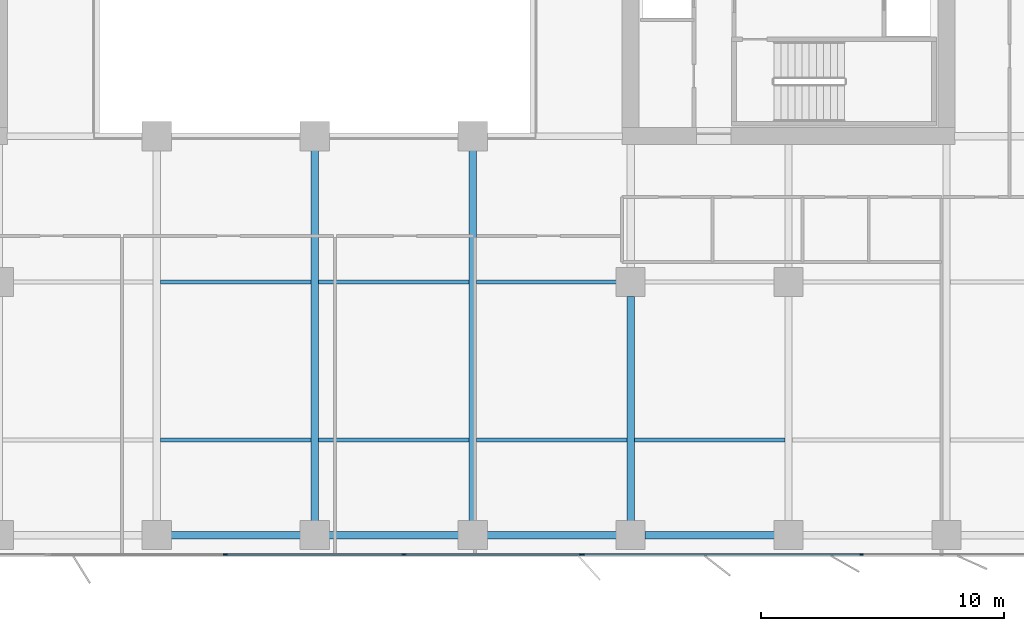
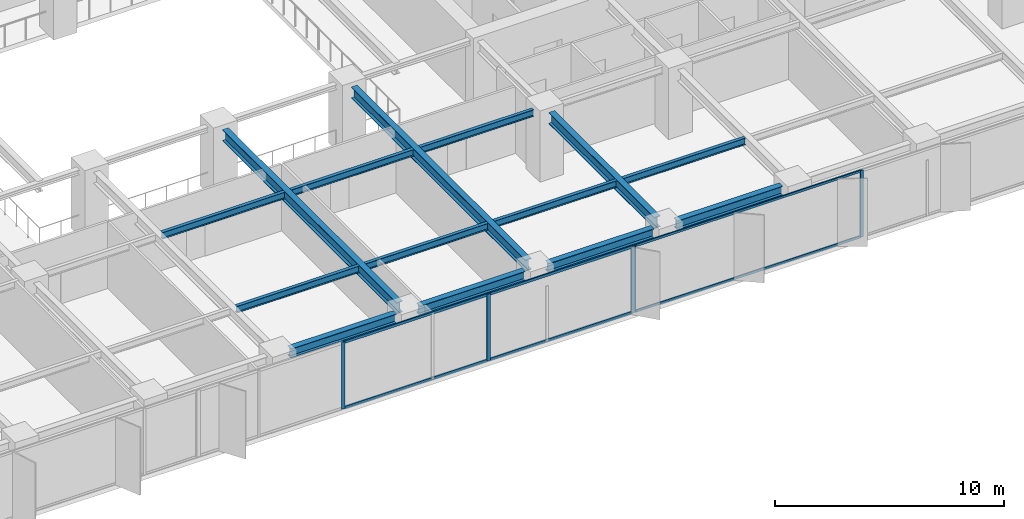
# One storey, part 5 of 20: 14 beams, 11 members, 2 elements without a shape of their own.
"""IFC4 building model written with IfcOpenShell, lengths in metres."""

from ifc_helpers import new_model, si_unit, direction, frame, origin, origin_2d, place, context, subcontext, project, spatial, rectangle, i_section, extrude, material, layer, layer_set, material_profile, profile_set, type_object, element, aggregate, save


model = new_model("IFC4")

# Units and contexts
model_context = context("Model", 3, precision=1e-05, world=origin(), true_north=direction((0.0, 1.0)))
body_context = subcontext(model_context, "Body", "Model", "MODEL_VIEW")
ifc_project = project(units=[si_unit("LENGTHUNIT", "METRE"), si_unit("AREAUNIT", "SQUARE_METRE"), si_unit("VOLUMEUNIT", "CUBIC_METRE"), si_unit("PLANEANGLEUNIT", "RADIAN"), si_unit("MASSUNIT", "GRAM", prefix="KILO")], contexts=[model_context])

# Site, building, storey
site_placement = place(None, origin())
site = spatial("IfcSite", under=ifc_project, at=site_placement, CompositionType="ELEMENT")
building_placement = place(site_placement, origin())
building = spatial("IfcBuilding", under=site, at=building_placement, Name="Putna Gate Headquarters", CompositionType="ELEMENT")
storey_placement = place(building_placement, frame((0.0, 0.0, 101.199951171875)))
storey = spatial("IfcBuildingStorey", under=building, at=storey_placement, Name="L24", CompositionType="ELEMENT", Elevation=101.199951171875)

# Beams
ifc_material_1 = material(Name="Steel S355J2", Category="steel")
ifc_material_profile_1 = material_profile(ifc_material_1, i_section(OverallWidth=0.300048828125, OverallDepth=0.60009765625, WebThickness=0.015380859375, FlangeThickness=0.030029296875, at=origin_2d()), Name="Steel S355J2")
ifc_profile_set_1 = profile_set([ifc_material_profile_1], Name="Steel S355J2")
beam_type_1 = type_object("IfcBeamType", Name="BM-GIRD-Z2-HEB600", PredefinedType="USERDEFINED", material=ifc_profile_set_1)
for number, where, z_axis, x_axis, name in (
    (1, (39.0, 3.16796875, 3.26513671875), (0.0, 1.0, 0.0), (-1.0, 0.0, 0.0), "L24 South Primary Girder X39"),
    (2, (45.5, 3.16796875, 3.26513671875), (0.0, 1.0, 0.0), (-1.0, 0.0, 0.0), "L24 South Primary Girder X45"),
):
    element("IfcBeam", number, at=place(storey_placement, frame(where, z_axis=z_axis, x_axis=x_axis)), inside=storey, type_object=beam_type_1, Name=name, ObjectType="GIRDER", PredefinedType="USERDEFINED", context=body_context, shape_type="SweptSolid", body=[
        extrude(i_section(OverallWidth=0.300048828125, OverallDepth=0.60009765625, WebThickness=0.015380859375, FlangeThickness=0.030029296875, at=origin_2d()), origin(), (0.0, 0.0, 1.0), 15.244140625),
    ])
beam_1_placement = place(storey_placement, frame((52.0, 3.16796875, 3.26513671875), z_axis=(0.0, 1.0, 0.0), x_axis=(-1.0, 0.0, 0.0)))
element("IfcBeam", 3, at=beam_1_placement, inside=storey, type_object=beam_type_1, Name="L24 South Primary Girder X52-1", ObjectType="GIRDER", PredefinedType="USERDEFINED", context=body_context, shape_type="SweptSolid", body=[
    extrude(i_section(OverallWidth=0.300048828125, OverallDepth=0.60009765625, WebThickness=0.015380859375, FlangeThickness=0.030029296875, at=origin_2d()), origin(), (0.0, 0.0, 1.0), 9.244140625),
])
ifc_material_profile_2 = material_profile(ifc_material_1, i_section(OverallWidth=0.169921875, OverallDepth=0.360107421875, WebThickness=0.008056640625, FlangeThickness=0.0126953125, at=origin_2d()), Name="Steel S355J2")
ifc_profile_set_2 = profile_set([ifc_material_profile_2], Name="Steel S355J2")
beam_type_2 = type_object("IfcBeamType", Name="BM-SEC-Z2-IPE360", PredefinedType="BEAM", material=ifc_profile_set_2)
for number, where, z_axis, x_axis, name in (
    (4, (32.654052734375, 6.5, 3.385009765625), (1.0, 0.0, 0.0), (0.0, 1.0, 0.0), "L24 South Secondary Beam 5"),
    (5, (32.654052734375, 13.0, 3.385009765625), (1.0, 0.0, 0.0), (0.0, 1.0, 0.0), "L24 South Secondary Beam 5"),
    (6, (39.154052734375, 6.5, 3.385009765625), (1.0, 0.0, 0.0), (0.0, 1.0, 0.0), "L24 South Secondary Beam 6"),
    (7, (39.154052734375, 13.0, 3.385009765625), (1.0, 0.0, 0.0), (0.0, 1.0, 0.0), "L24 South Secondary Beam 6"),
    (8, (45.654052734375, 6.5, 3.385009765625), (1.0, 0.0, 0.0), (0.0, 1.0, 0.0), "L24 South Secondary Beam 7"),
):
    element("IfcBeam", number, at=place(storey_placement, frame(where, z_axis=z_axis, x_axis=x_axis)), inside=storey, type_object=beam_type_2, Name=name, PredefinedType="BEAM", context=body_context, shape_type="SweptSolid", body=[
        extrude(i_section(OverallWidth=0.169921875, OverallDepth=0.360107421875, WebThickness=0.008056640625, FlangeThickness=0.0126953125, at=origin_2d()), origin(), (0.0, 0.0, 1.0), 6.19189453125),
    ])
beam_2_placement = place(storey_placement, frame((45.654052734375, 13.0, 3.385009765625), z_axis=(1.0, 0.0, 0.0), x_axis=(0.0, 1.0, 0.0)))
element("IfcBeam", 9, at=beam_2_placement, inside=storey, type_object=beam_type_2, Name="L24 South Secondary Beam 7", PredefinedType="BEAM", context=body_context, shape_type="SweptSolid", body=[
    extrude(i_section(OverallWidth=0.169921875, OverallDepth=0.360107421875, WebThickness=0.008056640625, FlangeThickness=0.0126953125, at=origin_2d()), origin(), (0.0, 0.0, 1.0), 5.758056640625),
])
beam_3_placement = place(storey_placement, frame((52.154052734375, 6.5, 3.385009765625), z_axis=(1.0, 0.0, 0.0), x_axis=(0.0, 1.0, 0.0)))
element("IfcBeam", 10, at=beam_3_placement, inside=storey, type_object=beam_type_2, Name="L24 South Secondary Beam 8", PredefinedType="BEAM", context=body_context, shape_type="SweptSolid", body=[
    extrude(i_section(OverallWidth=0.169921875, OverallDepth=0.360107421875, WebThickness=0.008056640625, FlangeThickness=0.0126953125, at=origin_2d()), origin(), (0.0, 0.0, 1.0), 6.19189453125),
])
ifc_material_profile_3 = material_profile(ifc_material_1, i_section(OverallWidth=0.300048828125, OverallDepth=0.489990234375, WebThickness=0.011962890625, FlangeThickness=0.02294921875, at=origin_2d()), Name="Steel S355J2")
ifc_profile_set_3 = profile_set([ifc_material_profile_3], Name="Steel S355J2")
beam_type_3 = type_object("IfcBeamType", Name="BM-SPAN-Z2-HEA500", PredefinedType="SPANDREL", material=ifc_profile_set_3)
for number, where, z_axis, x_axis, name in (
    (11, (33.087890625, 2.580078125, 3.320068359375), (1.0, 0.0, 0.0), (0.0, 1.0, 0.0), "L24 S Perimeter Spandrel 5"),
    (12, (39.587890625, 2.580078125, 3.320068359375), (1.0, 0.0, 0.0), (0.0, 1.0, 0.0), "L24 S Perimeter Spandrel 6"),
    (13, (46.087890625, 2.580078125, 3.320068359375), (1.0, 0.0, 0.0), (0.0, 1.0, 0.0), "L24 S Perimeter Spandrel 7"),
    (14, (52.587890625, 2.580078125, 3.320068359375), (1.0, 0.0, 0.0), (0.0, 1.0, 0.0), "L24 S Perimeter Spandrel 8"),
):
    element("IfcBeam", number, at=place(storey_placement, frame(where, z_axis=z_axis, x_axis=x_axis)), inside=storey, type_object=beam_type_3, Name=name, PredefinedType="SPANDREL", context=body_context, shape_type="SweptSolid", body=[
        extrude(i_section(OverallWidth=0.300048828125, OverallDepth=0.489990234375, WebThickness=0.011962890625, FlangeThickness=0.02294921875, at=origin_2d()), origin(), (0.0, 0.0, 1.0), 5.32421875),
    ])

# Curtain wall, members
ifc_material_2 = material(Name="Anodised bronze aluminium curtain wall", Category="aluminium")
ifc_layer_1 = layer(ifc_material_2, 0.159912109375)
ifc_layer_set_1 = layer_set([ifc_layer_1], Name="Anodised bronze aluminium curtain wall")
curtain_wall_type_1 = type_object("IfcCurtainWallType", Name="CW-SYS-Z2", PredefinedType="USERDEFINED", material=ifc_layer_set_1)
curtain_wall_1_placement = place(storey_placement, origin())
curtain_wall_1 = element("IfcCurtainWall", 15, at=curtain_wall_1_placement, inside=storey, type_object=curtain_wall_type_1, Name="L24 South East Curtain Wall", ObjectType="STICK CURTAIN WALL", PredefinedType="USERDEFINED")
ifc_material_3 = material(Name="Anodised bronze aluminium EN AW-6060", Category="aluminium")
ifc_material_profile_4 = material_profile(ifc_material_3, rectangle(XDim=0.06494140625, YDim=0.159912109375, at=origin_2d()), Name="Anodised bronze aluminium EN AW-6060")
ifc_profile_set_4 = profile_set([ifc_material_profile_4], Name="Anodised bronze aluminium EN AW-6060")
member_type_1 = type_object("IfcMemberType", Name="MULL-CWM-2", PredefinedType="MULLION", material=ifc_profile_set_4)
member_1_placement = place(storey_placement, frame((50.032470703125, 1.780029296875, 0.0), z_axis=(0.0, 0.0, 1.0), x_axis=(0.0, 1.0, 0.0)))
member_1 = element("IfcMember", 16, at=member_1_placement, type_object=member_type_1, Name="CWS-2 mullion 1", PredefinedType="MULLION", context=body_context, shape_type="SweptSolid", body=[
    extrude(rectangle(XDim=0.06494140625, YDim=0.159912109375, at=origin_2d()), origin(), (0.0, 0.0, 1.0), 3.56494140625),
])
member_2_placement = place(storey_placement, frame((61.5, 1.780029296875, 0.0), z_axis=(0.0, 0.0, 1.0), x_axis=(0.0, 1.0, 0.0)))
member_2 = element("IfcMember", 17, at=member_2_placement, type_object=member_type_1, Name="CWS-2 mullion 2", PredefinedType="MULLION", context=body_context, shape_type="SweptSolid", body=[
    extrude(rectangle(XDim=0.06494140625, YDim=0.159912109375, at=origin_2d()), origin(), (0.0, 0.0, 1.0), 3.56494140625),
])

ifc_layer_2 = layer(ifc_material_2, 0.179931640625)
ifc_layer_set_2 = layer_set([ifc_layer_2], Name="Anodised bronze aluminium curtain wall")
curtain_wall_type_2 = type_object("IfcCurtainWallType", Name="CW-SYS-ATR", PredefinedType="USERDEFINED", material=ifc_layer_set_2)
curtain_wall_2_placement = place(storey_placement, origin())
curtain_wall_2 = element("IfcCurtainWall", 18, at=curtain_wall_2_placement, inside=storey, type_object=curtain_wall_type_2, Name="L24 South Atrium Clear Glazing", ObjectType="ATRIUM GLAZING", PredefinedType="USERDEFINED")
ifc_material_profile_5 = material_profile(ifc_material_3, rectangle(XDim=0.070068359375, YDim=0.179931640625, at=origin_2d()), Name="Anodised bronze aluminium EN AW-6060")
ifc_profile_set_5 = profile_set([ifc_material_profile_5], Name="Anodised bronze aluminium EN AW-6060")
member_type_2 = type_object("IfcMemberType", Name="MULL-CWM-AT", PredefinedType="MULLION", material=ifc_profile_set_5)
member_3_placement = place(storey_placement, frame((35.333251953125, 1.780029296875, 0.0), z_axis=(0.0, 0.0, 1.0), x_axis=(0.0, 1.0, 0.0)))
member_3 = element("IfcMember", 19, at=member_3_placement, type_object=member_type_2, Name="CWS-AT mullion 2", PredefinedType="MULLION", context=body_context, shape_type="SweptSolid", body=[
    extrude(rectangle(XDim=0.070068359375, YDim=0.179931640625, at=origin_2d()), origin(), (0.0, 0.0, 1.0), 3.56494140625),
])
member_4_placement = place(storey_placement, frame((42.666748046875, 1.780029296875, 0.0), z_axis=(0.0, 0.0, 1.0), x_axis=(0.0, 1.0, 0.0)))
member_4 = element("IfcMember", 20, at=member_4_placement, type_object=member_type_2, Name="CWS-AT mullion 3", PredefinedType="MULLION", context=body_context, shape_type="SweptSolid", body=[
    extrude(rectangle(XDim=0.070068359375, YDim=0.179931640625, at=origin_2d()), origin(), (0.0, 0.0, 1.0), 3.56494140625),
])
member_5_placement = place(storey_placement, frame((49.965087890625, 1.780029296875, 0.0), z_axis=(0.0, 0.0, 1.0), x_axis=(0.0, 1.0, 0.0)))
member_5 = element("IfcMember", 21, at=member_5_placement, type_object=member_type_2, Name="CWS-AT mullion 4", PredefinedType="MULLION", context=body_context, shape_type="SweptSolid", body=[
    extrude(rectangle(XDim=0.070068359375, YDim=0.179931640625, at=origin_2d()), origin(), (0.0, 0.0, 1.0), 3.56494140625),
])

# Member
ifc_material_profile_6 = material_profile(ifc_material_3, rectangle(XDim=0.06494140625, YDim=0.1201171875, at=origin_2d()), Name="Anodised bronze aluminium EN AW-6060")
ifc_profile_set_6 = profile_set([ifc_material_profile_6], Name="Anodised bronze aluminium EN AW-6060")
member_type_3 = type_object("IfcMemberType", Name="TRAN-CWT-2", PredefinedType="USERDEFINED", material=ifc_profile_set_6)
member_6_placement = place(storey_placement, frame((50.06494140625, 1.780029296875, 0.032470703125), z_axis=(1.0, 0.0, 0.0), x_axis=(0.0, 1.0, 0.0)))
member_6 = element("IfcMember", 22, at=member_6_placement, type_object=member_type_3, Name="CWS-2 transom 1.1", ObjectType="TRANSOM", PredefinedType="USERDEFINED", context=body_context, shape_type="SweptSolid", body=[
    extrude(rectangle(XDim=0.06494140625, YDim=0.1201171875, at=origin_2d()), origin(), (0.0, 0.0, 1.0), 11.402587890625),
])

member_7_placement = place(storey_placement, frame((50.06494140625, 1.780029296875, 3.532470703125), z_axis=(1.0, 0.0, 0.0), x_axis=(0.0, 1.0, 0.0)))
member_7 = element("IfcMember", 23, at=member_7_placement, type_object=member_type_3, Name="CWS-2 transom 1.2", ObjectType="TRANSOM", PredefinedType="USERDEFINED", context=body_context, shape_type="SweptSolid", body=[
    extrude(rectangle(XDim=0.06494140625, YDim=0.1201171875, at=origin_2d()), origin(), (0.0, 0.0, 1.0), 11.402587890625),
])

aggregate(curtain_wall_1, [member_1, member_2, member_6, member_7])

ifc_material_profile_7 = material_profile(ifc_material_3, rectangle(XDim=0.070068359375, YDim=0.139892578125, at=origin_2d()), Name="Anodised bronze aluminium EN AW-6060")
ifc_profile_set_7 = profile_set([ifc_material_profile_7], Name="Anodised bronze aluminium EN AW-6060")
member_type_4 = type_object("IfcMemberType", Name="TRAN-CWT-AT", PredefinedType="USERDEFINED", material=ifc_profile_set_7)
member_8_placement = place(storey_placement, frame((35.368408203125, 1.780029296875, 0.03515625), z_axis=(1.0, 0.0, 0.0), x_axis=(0.0, 1.0, 0.0)))
member_8 = element("IfcMember", 24, at=member_8_placement, type_object=member_type_4, Name="CWS-AT transom 2.1", ObjectType="TRANSOM", PredefinedType="USERDEFINED", context=body_context, shape_type="SweptSolid", body=[
    extrude(rectangle(XDim=0.070068359375, YDim=0.139892578125, at=origin_2d()), origin(), (0.0, 0.0, 1.0), 7.26318359375),
])

member_9_placement = place(storey_placement, frame((35.368408203125, 1.780029296875, 3.530029296875), z_axis=(1.0, 0.0, 0.0), x_axis=(0.0, 1.0, 0.0)))
member_9 = element("IfcMember", 25, at=member_9_placement, type_object=member_type_4, Name="CWS-AT transom 2.2", ObjectType="TRANSOM", PredefinedType="USERDEFINED", context=body_context, shape_type="SweptSolid", body=[
    extrude(rectangle(XDim=0.070068359375, YDim=0.139892578125, at=origin_2d()), origin(), (0.0, 0.0, 1.0), 7.26318359375),
])

member_10_placement = place(storey_placement, frame((42.70166015625, 1.780029296875, 0.03515625), z_axis=(1.0, 0.0, 0.0), x_axis=(0.0, 1.0, 0.0)))
member_10 = element("IfcMember", 26, at=member_10_placement, type_object=member_type_4, Name="CWS-AT transom 3.1", ObjectType="TRANSOM", PredefinedType="USERDEFINED", context=body_context, shape_type="SweptSolid", body=[
    extrude(rectangle(XDim=0.070068359375, YDim=0.139892578125, at=origin_2d()), origin(), (0.0, 0.0, 1.0), 7.228271484375),
])

member_11_placement = place(storey_placement, frame((42.70166015625, 1.780029296875, 3.530029296875), z_axis=(1.0, 0.0, 0.0), x_axis=(0.0, 1.0, 0.0)))
member_11 = element("IfcMember", 27, at=member_11_placement, type_object=member_type_4, Name="CWS-AT transom 3.2", ObjectType="TRANSOM", PredefinedType="USERDEFINED", context=body_context, shape_type="SweptSolid", body=[
    extrude(rectangle(XDim=0.070068359375, YDim=0.139892578125, at=origin_2d()), origin(), (0.0, 0.0, 1.0), 7.228271484375),
])

aggregate(curtain_wall_2, [member_3, member_4, member_5, member_8, member_9, member_10, member_11])

save(model, "model.ifc")
